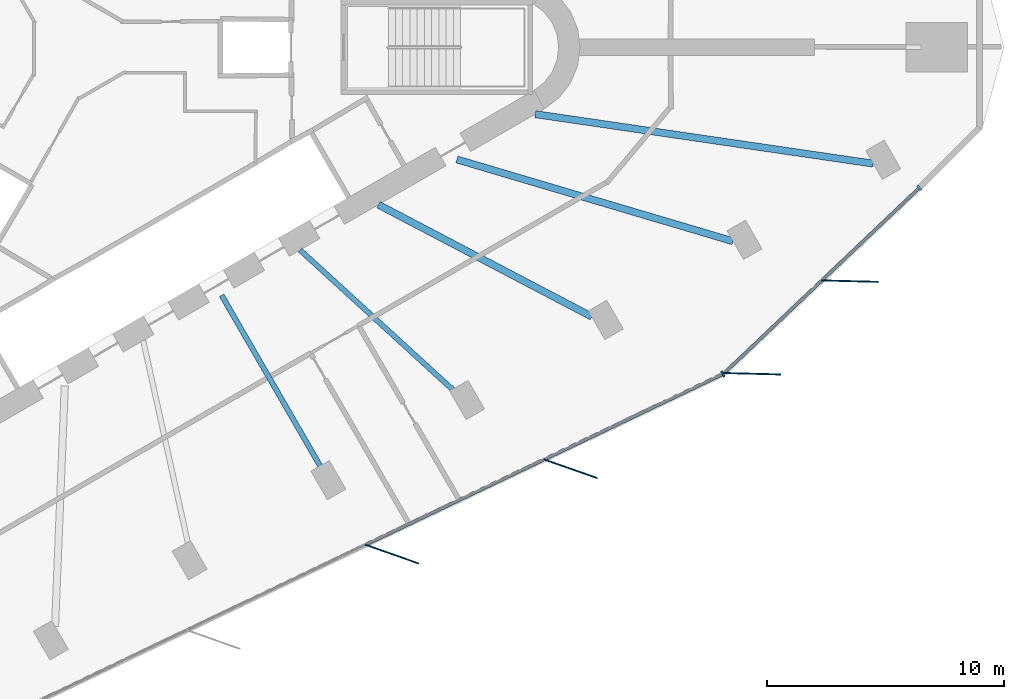
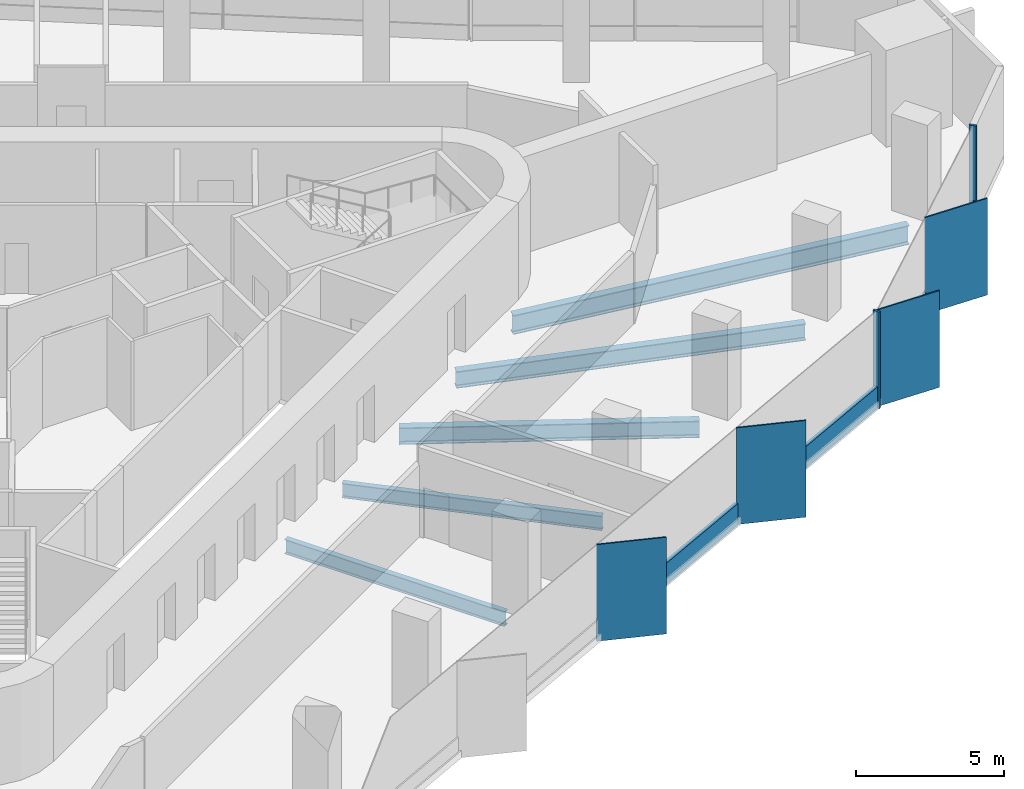
# One storey, part 3 of 13: 10 members, 5 beams, 2 elements without a shape of their own.
"""IFC4 building model written with IfcOpenShell, lengths in metres."""

from ifc_helpers import new_model, si_unit, direction, frame, origin, origin_2d, place, context, subcontext, project, spatial, rectangle, i_section, extrude, material, material_profile, profile_set, type_object, element, aggregate, save


model = new_model("IFC4")

# Units and contexts
model_context = context("Model", 3, precision=1e-05, world=origin(), true_north=direction((0.0, 1.0)))
body_context = subcontext(model_context, "Body", "Model", "MODEL_VIEW")
ifc_project = project(units=[si_unit("LENGTHUNIT", "METRE"), si_unit("AREAUNIT", "SQUARE_METRE"), si_unit("VOLUMEUNIT", "CUBIC_METRE"), si_unit("PLANEANGLEUNIT", "RADIAN"), si_unit("MASSUNIT", "GRAM", prefix="KILO")], contexts=[model_context])

# Site, building, storey
site_placement = place(None, origin())
site = spatial("IfcSite", under=ifc_project, at=site_placement, CompositionType="ELEMENT")
building_placement = place(site_placement, origin())
building = spatial("IfcBuilding", under=site, at=building_placement, Name="Tanit Gate Tower", CompositionType="ELEMENT")
storey_placement = place(building_placement, frame((0.0, 0.0, 265.199951171875)))
storey = spatial("IfcBuildingStorey", under=building, at=storey_placement, Name="L60", CompositionType="ELEMENT", Elevation=265.199951171875)

# Curtain wall, members
ifc_material_1 = material(Name="Aluminium bronze anodised and glass", Category="aluminium")
curtain_wall_type = type_object("IfcCurtainWallType", Name="Curtain wall typical mid", PredefinedType="NOTDEFINED", material=ifc_material_1)
curtain_wall_1_placement = place(storey_placement, origin())
curtain_wall_1 = element("IfcCurtainWall", 1, at=curtain_wall_1_placement, inside=storey, type_object=curtain_wall_type, Name="Curtain wall L60 SE2", PredefinedType="NOTDEFINED")
ifc_material_2 = material(Name="Aluminium bronze anodised", Category="aluminium")
ifc_material_profile_1 = material_profile(ifc_material_2, rectangle(XDim=2.39990234375, YDim=0.055908203125, at=origin_2d()), Name="56x2400 bronze fin mullion")
ifc_profile_set_1 = profile_set([ifc_material_profile_1], Name="Aluminium bronze anodised")
member_type_1 = type_object("IfcMemberType", Name="FIN MULLION 56x2400 bronze", PredefinedType="MULLION", material=ifc_profile_set_1)
member_1_placement = place(storey_placement, frame((13.24755859375, -21.417236328125, -0.300048828125), z_axis=(0.0, 0.0, 1.0), x_axis=(-0.94289500242, 0.333090099539, 0.0)))
member_1 = element("IfcMember", 2, at=member_1_placement, type_object=member_type_1, Name="Fin mullion L60 SE2.3", PredefinedType="MULLION", context=body_context, shape_type="SweptSolid", body=[
    extrude(rectangle(XDim=2.39990234375, YDim=0.055908203125, at=origin_2d()), origin(), (0.0, 0.0, 1.0), 4.0),
])
member_2_placement = place(storey_placement, frame((20.796630859375, -17.8095703125, -0.300048828125), z_axis=(0.0, 0.0, 1.0), x_axis=(-0.94289500242, 0.333090099539, 0.0)))
member_2 = element("IfcMember", 3, at=member_2_placement, type_object=member_type_1, Name="Fin mullion L60 SE2.4", PredefinedType="MULLION", context=body_context, shape_type="SweptSolid", body=[
    extrude(rectangle(XDim=2.39990234375, YDim=0.055908203125, at=origin_2d()), origin(), (0.0, 0.0, 1.0), 4.0),
])

curtain_wall_2_placement = place(storey_placement, origin())
curtain_wall_2 = element("IfcCurtainWall", 4, at=curtain_wall_2_placement, inside=storey, type_object=curtain_wall_type, Name="Curtain wall L60 SE3", PredefinedType="NOTDEFINED")
member_3_placement = place(storey_placement, frame((28.4775390625, -13.795166015625, -0.300048828125), z_axis=(0.0, 0.0, 1.0), x_axis=(-0.999659926403, 0.026077414423, 0.0)))
member_3 = element("IfcMember", 5, at=member_3_placement, type_object=member_type_1, Name="Fin mullion L60 SE3.1", PredefinedType="MULLION", context=body_context, shape_type="SweptSolid", body=[
    extrude(rectangle(XDim=2.39990234375, YDim=0.055908203125, at=origin_2d()), origin(), (0.0, 0.0, 1.0), 4.0),
])
member_4_placement = place(storey_placement, frame((32.60107421875, -9.88134765625, -0.300048828125), z_axis=(0.0, 0.0, 1.0), x_axis=(-0.999659926403, 0.026077414423, 0.0)))
member_4 = element("IfcMember", 6, at=member_4_placement, type_object=member_type_1, Name="Fin mullion L60 SE3.2", PredefinedType="MULLION", context=body_context, shape_type="SweptSolid", body=[
    extrude(rectangle(XDim=2.39990234375, YDim=0.055908203125, at=origin_2d()), origin(), (0.0, 0.0, 1.0), 4.0),
])

# Member
ifc_material_3 = material(Name="Aluminium bronze anodised", Category="aluminium")
ifc_material_profile_2 = material_profile(ifc_material_3, rectangle(XDim=0.260009765625, YDim=0.080078125, at=origin_2d()), Name="80x260 bronze mullion")
ifc_profile_set_2 = profile_set([ifc_material_profile_2], Name="Aluminium bronze anodised")
member_type_2 = type_object("IfcMemberType", Name="Mullion 80x260 typical mid", PredefinedType="MULLION", material=ifc_profile_set_2)
member_5_placement = place(storey_placement, frame((27.234130859375, -13.80908203125, -0.300048828125), z_axis=(0.0, 0.0, 1.0), x_axis=(-0.431197182029, 0.902257718288, 0.0)))
member_5 = element("IfcMember", 7, at=member_5_placement, type_object=member_type_2, Name="Mullion L60 SE2.5", PredefinedType="MULLION", context=body_context, shape_type="SweptSolid", body=[
    extrude(rectangle(XDim=0.260009765625, YDim=0.080078125, at=origin_2d()), origin(), (0.0, 0.0, 1.0), 4.0),
])

member_6_placement = place(storey_placement, frame((35.546142578125, -5.936767578125, -0.300048828125), z_axis=(0.0, 0.0, 1.0), x_axis=(-0.688426796266, 0.725305829415, 0.0)))
member_6 = element("IfcMember", 8, at=member_6_placement, type_object=member_type_2, Name="Mullion L60 SE3.3", PredefinedType="MULLION", context=body_context, shape_type="SweptSolid", body=[
    extrude(rectangle(XDim=0.260009765625, YDim=0.080078125, at=origin_2d()), origin(), (0.0, 0.0, 1.0), 4.0),
])

# Beams
ifc_material_4 = material(Name="Steel S355", Category="steel")
ifc_material_profile_3 = material_profile(ifc_material_4, i_section(OverallWidth=0.300048828125, OverallDepth=0.68994140625, WebThickness=0.014404296875, FlangeThickness=0.027099609375, FilletRadius=0.027099609375, at=origin_2d()), Name="HEA 700")
ifc_profile_set_3 = profile_set([ifc_material_profile_3], Name="Steel S355")
beam_type_1 = type_object("IfcBeamType", Name="RADIAL GIRDER HEA 700 S355", PredefinedType="BEAM", material=ifc_profile_set_3)
beam_1_placement = place(storey_placement, frame((21.697998046875, -11.383544921875, -0.64501953125), z_axis=(-0.885529600193, 0.464582960495, 0.0), x_axis=(-0.464582960495, -0.885529600193, 0.0)))
element("IfcBeam", 9, at=beam_1_placement, inside=storey, type_object=beam_type_1, Name="RADIAL GIRDER", PredefinedType="BEAM", context=body_context, shape_type="SweptSolid", body=[
    extrude(i_section(OverallWidth=0.300048828125, OverallDepth=0.68994140625, WebThickness=0.014404296875, FlangeThickness=0.027099609375, FilletRadius=0.027099609375, at=origin_2d()), origin(), (0.0, 0.0, 1.0), 10.1826171875),
])
beam_2_placement = place(storey_placement, frame((27.66845703125, -8.197021484375, -0.64501953125), z_axis=(-0.958810250553, 0.284047361252, 0.0), x_axis=(-0.284047361252, -0.958810250553, 0.0)))
element("IfcBeam", 10, at=beam_2_placement, inside=storey, type_object=beam_type_1, Name="RADIAL GIRDER", PredefinedType="BEAM", context=body_context, shape_type="SweptSolid", body=[
    extrude(i_section(OverallWidth=0.300048828125, OverallDepth=0.68994140625, WebThickness=0.014404296875, FlangeThickness=0.027099609375, FilletRadius=0.027099609375, at=origin_2d()), origin(), (0.0, 0.0, 1.0), 12.174072265625),
])
ifc_material_5 = material(Name="Steel S355", Category="steel")
ifc_material_profile_4 = material_profile(ifc_material_5, i_section(OverallWidth=0.300048828125, OverallDepth=0.7900390625, WebThickness=0.014892578125, FlangeThickness=0.028076171875, FilletRadius=0.030029296875, at=origin_2d()), Name="HEA 800")
ifc_profile_set_4 = profile_set([ifc_material_profile_4], Name="Steel S355")
beam_type_2 = type_object("IfcBeamType", Name="RADIAL GIRDER HEA 800 S355", PredefinedType="BEAM", material=ifc_profile_set_4)
beam_3_placement = place(storey_placement, frame((33.59130859375, -4.914306640625, -0.695068359375), z_axis=(-0.989468215533, 0.144750303802, 0.0), x_axis=(-0.144750303802, -0.989468215533, 0.0)))
element("IfcBeam", 11, at=beam_3_placement, inside=storey, type_object=beam_type_2, Name="RADIAL GIRDER", PredefinedType="BEAM", context=body_context, shape_type="SweptSolid", body=[
    extrude(i_section(OverallWidth=0.300048828125, OverallDepth=0.7900390625, WebThickness=0.014892578125, FlangeThickness=0.028076171875, FilletRadius=0.030029296875, at=origin_2d()), origin(), (0.0, 0.0, 1.0), 14.4326171875),
])
ifc_material_6 = material(Name="Steel S355", Category="steel")
ifc_material_profile_5 = material_profile(ifc_material_6, i_section(OverallWidth=0.219970703125, OverallDepth=0.60009765625, WebThickness=0.011962890625, FlangeThickness=0.01904296875, FilletRadius=0.02392578125, at=origin_2d()), Name="IPE 600")
ifc_profile_set_5 = profile_set([ifc_material_profile_5], Name="Steel S355")
beam_type_3 = type_object("IfcBeamType", Name="RADIAL GIRDER IPE 600 S355", PredefinedType="BEAM", material=ifc_profile_set_5)
beam_4_placement = place(storey_placement, frame((10.353759765625, -17.93310546875, -0.599853515625), z_axis=(-0.500008150211, 0.866020698207, 0.0), x_axis=(-0.866020698207, -0.500008150211, 0.0)))
element("IfcBeam", 12, at=beam_4_placement, inside=storey, type_object=beam_type_3, Name="RADIAL GIRDER", PredefinedType="BEAM", context=body_context, shape_type="SweptSolid", body=[
    extrude(i_section(OverallWidth=0.219970703125, OverallDepth=0.60009765625, WebThickness=0.011962890625, FlangeThickness=0.01904296875, FilletRadius=0.02392578125, at=origin_2d()), origin(), (0.0, 0.0, 1.0), 8.605224609375),
])
beam_5_placement = place(storey_placement, frame((16.02587890625, -14.658203125, -0.599853515625), z_axis=(-0.737904866166, 0.674904740307, 0.0), x_axis=(-0.674904740307, -0.737904866166, 0.0)))
element("IfcBeam", 13, at=beam_5_placement, inside=storey, type_object=beam_type_3, Name="RADIAL GIRDER", PredefinedType="BEAM", context=body_context, shape_type="SweptSolid", body=[
    extrude(i_section(OverallWidth=0.219970703125, OverallDepth=0.60009765625, WebThickness=0.011962890625, FlangeThickness=0.01904296875, FilletRadius=0.02392578125, at=origin_2d()), origin(), (0.0, 0.0, 1.0), 9.025390625),
])

# Member
ifc_material_7 = material(Name="Aluminium bronze anodised", Category="aluminium")
ifc_material_profile_6 = material_profile(ifc_material_7, rectangle(XDim=0.139892578125, YDim=0.89990234375, at=origin_2d()), Name="140x900 bronze transom")
ifc_profile_set_6 = profile_set([ifc_material_profile_6], Name="Aluminium bronze anodised")
member_type_3 = type_object("IfcMemberType", Name="Transom 140x900 typical mid", PredefinedType="USERDEFINED", material=ifc_profile_set_6)
member_7_placement = place(storey_placement, frame((12.172119140625, -21.00732421875, 0.150146484375), z_axis=(0.902257333807, 0.431197986534, 0.0), x_axis=(-0.431197986534, 0.902257333807, 0.0)))
member_7 = element("IfcMember", 14, at=member_7_placement, type_object=member_type_3, Name="Transom L60 SE2.3", ObjectType="TRANSOM", PredefinedType="USERDEFINED", context=body_context, shape_type="SweptSolid", body=[
    extrude(rectangle(XDim=0.139892578125, YDim=0.89990234375, at=origin_2d()), origin(), (0.0, 0.0, 1.0), 8.286865234375),
])

member_8_placement = place(storey_placement, frame((19.72119140625, -17.399658203125, 0.150146484375), z_axis=(0.902257333807, 0.431197986534, 0.0), x_axis=(-0.431197986534, 0.902257333807, 0.0)))
member_8 = element("IfcMember", 15, at=member_8_placement, type_object=member_type_3, Name="Transom L60 SE2.4", ObjectType="TRANSOM", PredefinedType="USERDEFINED", context=body_context, shape_type="SweptSolid", body=[
    extrude(rectangle(XDim=0.139892578125, YDim=0.89990234375, at=origin_2d()), origin(), (0.0, 0.0, 1.0), 8.286865234375),
])

aggregate(curtain_wall_1, [member_1, member_2, member_5, member_7, member_8])

member_9_placement = place(storey_placement, frame((27.328125, -13.73681640625, 0.150146484375), z_axis=(0.725312557534, 0.688419707652, 0.0), x_axis=(-0.688419707652, 0.725312557534, 0.0)))
member_9 = element("IfcMember", 16, at=member_9_placement, type_object=member_type_3, Name="Transom L60 SE3.1", ObjectType="TRANSOM", PredefinedType="USERDEFINED", context=body_context, shape_type="SweptSolid", body=[
    extrude(rectangle(XDim=0.139892578125, YDim=0.89990234375, at=origin_2d()), origin(), (0.0, 0.0, 1.0), 5.60498046875),
])

member_10_placement = place(storey_placement, frame((31.45166015625, -9.822998046875, 0.150146484375), z_axis=(0.725312557534, 0.688419707652, 0.0), x_axis=(-0.688419707652, 0.725312557534, 0.0)))
member_10 = element("IfcMember", 17, at=member_10_placement, type_object=member_type_3, Name="Transom L60 SE3.2", ObjectType="TRANSOM", PredefinedType="USERDEFINED", context=body_context, shape_type="SweptSolid", body=[
    extrude(rectangle(XDim=0.139892578125, YDim=0.89990234375, at=origin_2d()), origin(), (0.0, 0.0, 1.0), 5.60498046875),
])

aggregate(curtain_wall_2, [member_3, member_4, member_6, member_9, member_10])

save(model, "model.ifc")
